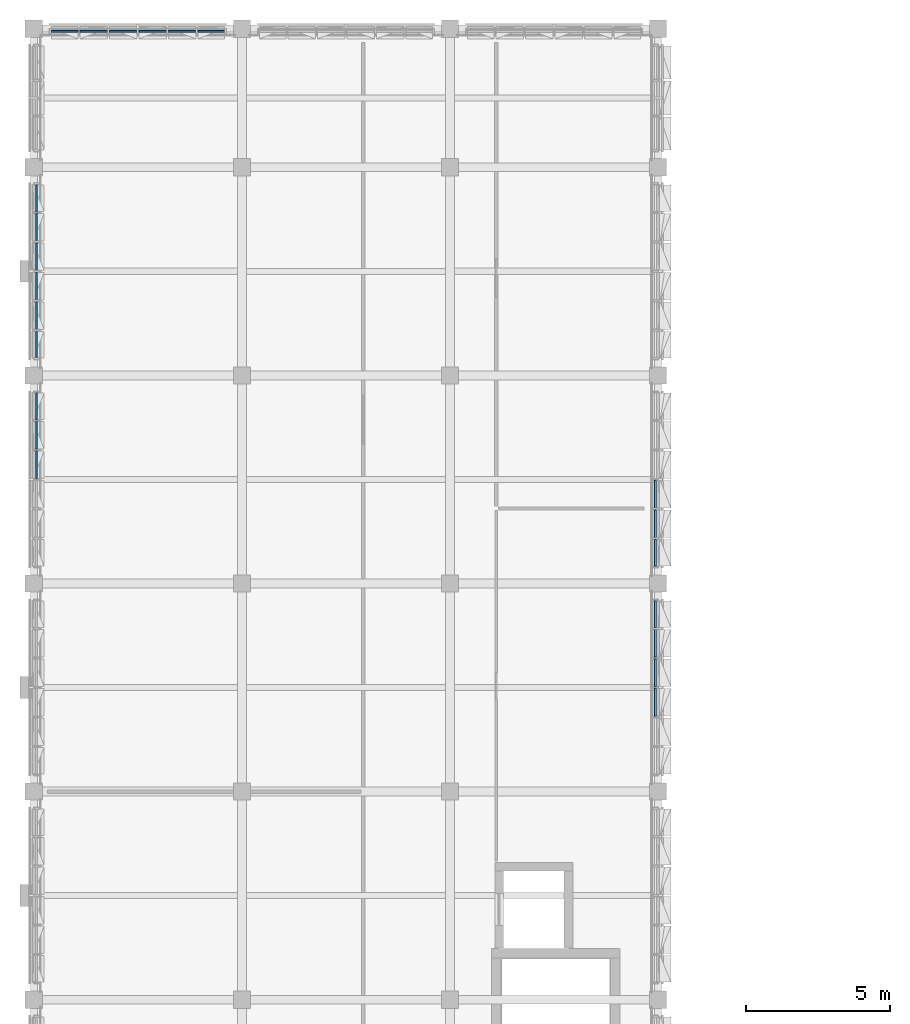
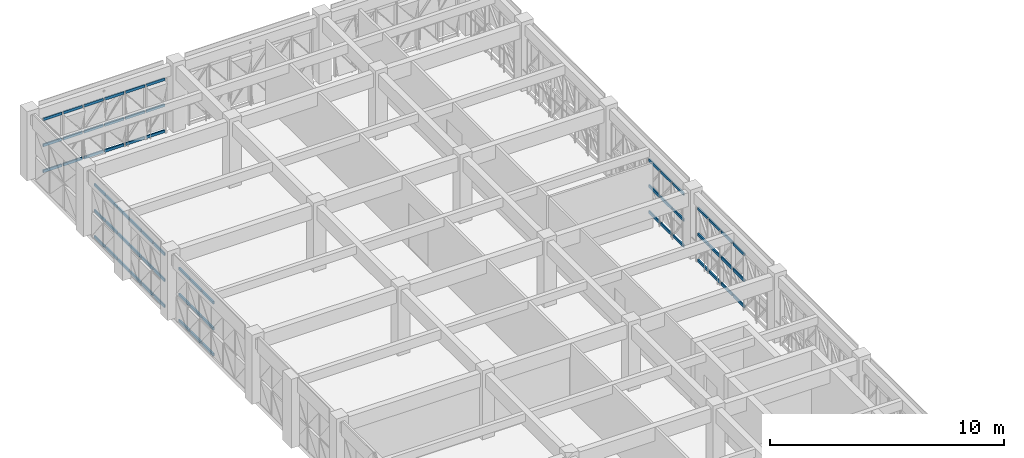
# One storey, part 23 of 74: 66 members, 5 elements without a shape of their own.
"""IFC4 building model written with IfcOpenShell, lengths in metres."""

from ifc_helpers import new_model, si_unit, direction, frame, origin, origin_2d, place, context, subcontext, project, spatial, rectangle, extrude, material, material_profile, profile_set, type_object, element, aggregate, save


model = new_model("IFC4")

# Units and contexts
model_context = context("Model", 3, precision=1e-05, world=origin(), true_north=direction((0.0, 1.0)))
body_context = subcontext(model_context, "Body", "Model", "MODEL_VIEW")
ifc_project = project(units=[si_unit("LENGTHUNIT", "METRE"), si_unit("AREAUNIT", "SQUARE_METRE"), si_unit("VOLUMEUNIT", "CUBIC_METRE"), si_unit("PLANEANGLEUNIT", "RADIAN"), si_unit("MASSUNIT", "GRAM", prefix="KILO")], contexts=[model_context])

# Site, building, storey
site_placement = place(None, origin())
site = spatial("IfcSite", under=ifc_project, at=site_placement, CompositionType="ELEMENT")
building_placement = place(site_placement, origin())
building = spatial("IfcBuilding", under=site, at=building_placement, Name="Alvorim Cloister Faculty of Sciences", CompositionType="ELEMENT")
storey_placement = place(building_placement, frame((0.0, 0.0, 15.75)))
storey = spatial("IfcBuildingStorey", under=building, at=storey_placement, Name="L04", CompositionType="ELEMENT", Elevation=15.75)

# Curtain wall, members
ifc_material_1 = material(Name="Aluminium and Low-E Glass Curtain Wall", Category="aluminium")
curtain_wall_type = type_object("IfcCurtainWallType", Name="CW-TRI-6120x2850", PredefinedType="USERDEFINED", material=ifc_material_1)
curtain_wall_1_placement = place(storey_placement, origin())
curtain_wall_1 = element("IfcCurtainWall", 1, at=curtain_wall_1_placement, inside=storey, type_object=curtain_wall_type, Name="L04 Diagonal Cassette Curtain Wall CW-0175", ObjectType="UNITISED CURTAIN WALL", PredefinedType="USERDEFINED")
ifc_material_2 = material(Name="Aluminium Alloy 6063-T6", Category="aluminium")
ifc_material_profile = material_profile(ifc_material_2, rectangle(XDim=0.06494140625, YDim=0.139892578125, at=origin_2d()), Name="ALU-TRN-65x140")
ifc_profile_set = profile_set([ifc_material_profile], Name="Aluminium Alloy 6063-T6")
member_type = type_object("IfcMemberType", Name="CW-TRN-65x140", PredefinedType="USERDEFINED", material=ifc_profile_set)
member_1_placement = place(storey_placement, frame((0.090087890625, 96.032470703125, 0.070068359375), z_axis=(0.0, 1.0, 0.0), x_axis=(-1.0, 0.0, 0.0)))
member_1 = element("IfcMember", 2, at=member_1_placement, type_object=member_type, Name="CW-0175 Transom 4.1", ObjectType="TRANSOM", PredefinedType="USERDEFINED", context=body_context, shape_type="SweptSolid", body=[
    extrude(rectangle(XDim=0.06494140625, YDim=0.139892578125, at=origin_2d()), origin(), (0.0, 0.0, 1.0), 0.955078125),
])
member_2_placement = place(storey_placement, frame((0.090087890625, 96.032470703125, 1.425048828125), z_axis=(0.0, 1.0, 0.0), x_axis=(-1.0, 0.0, 0.0)))
member_2 = element("IfcMember", 3, at=member_2_placement, type_object=member_type, Name="CW-0175 Transom 4.2", ObjectType="TRANSOM", PredefinedType="USERDEFINED", context=body_context, shape_type="SweptSolid", body=[
    extrude(rectangle(XDim=0.06494140625, YDim=0.139892578125, at=origin_2d()), origin(), (0.0, 0.0, 1.0), 0.955078125),
])
member_3_placement = place(storey_placement, frame((0.090087890625, 96.032470703125, 2.780029296875), z_axis=(0.0, 1.0, 0.0), x_axis=(-1.0, 0.0, 0.0)))
member_3 = element("IfcMember", 4, at=member_3_placement, type_object=member_type, Name="CW-0175 Transom 4.3", ObjectType="TRANSOM", PredefinedType="USERDEFINED", context=body_context, shape_type="SweptSolid", body=[
    extrude(rectangle(XDim=0.06494140625, YDim=0.139892578125, at=origin_2d()), origin(), (0.0, 0.0, 1.0), 0.955078125),
])
member_4_placement = place(storey_placement, frame((0.090087890625, 97.052490234375, 0.070068359375), z_axis=(0.0, 1.0, 0.0), x_axis=(-1.0, 0.0, 0.0)))
member_4 = element("IfcMember", 5, at=member_4_placement, type_object=member_type, Name="CW-0175 Transom 5.1", ObjectType="TRANSOM", PredefinedType="USERDEFINED", context=body_context, shape_type="SweptSolid", body=[
    extrude(rectangle(XDim=0.06494140625, YDim=0.139892578125, at=origin_2d()), origin(), (0.0, 0.0, 1.0), 0.955078125),
])
member_5_placement = place(storey_placement, frame((0.090087890625, 97.052490234375, 1.425048828125), z_axis=(0.0, 1.0, 0.0), x_axis=(-1.0, 0.0, 0.0)))
member_5 = element("IfcMember", 6, at=member_5_placement, type_object=member_type, Name="CW-0175 Transom 5.2", ObjectType="TRANSOM", PredefinedType="USERDEFINED", context=body_context, shape_type="SweptSolid", body=[
    extrude(rectangle(XDim=0.06494140625, YDim=0.139892578125, at=origin_2d()), origin(), (0.0, 0.0, 1.0), 0.955078125),
])
member_6_placement = place(storey_placement, frame((0.090087890625, 97.052490234375, 2.780029296875), z_axis=(0.0, 1.0, 0.0), x_axis=(-1.0, 0.0, 0.0)))
member_6 = element("IfcMember", 7, at=member_6_placement, type_object=member_type, Name="CW-0175 Transom 5.3", ObjectType="TRANSOM", PredefinedType="USERDEFINED", context=body_context, shape_type="SweptSolid", body=[
    extrude(rectangle(XDim=0.06494140625, YDim=0.139892578125, at=origin_2d()), origin(), (0.0, 0.0, 1.0), 0.955078125),
])
member_7_placement = place(storey_placement, frame((0.090087890625, 98.072509765625, 0.070068359375), z_axis=(0.0, 1.0, 0.0), x_axis=(-1.0, 0.0, 0.0)))
member_7 = element("IfcMember", 8, at=member_7_placement, type_object=member_type, Name="CW-0175 Transom 6.1", ObjectType="TRANSOM", PredefinedType="USERDEFINED", context=body_context, shape_type="SweptSolid", body=[
    extrude(rectangle(XDim=0.06494140625, YDim=0.139892578125, at=origin_2d()), origin(), (0.0, 0.0, 1.0), 0.922607421875),
])
member_8_placement = place(storey_placement, frame((0.090087890625, 98.072509765625, 1.425048828125), z_axis=(0.0, 1.0, 0.0), x_axis=(-1.0, 0.0, 0.0)))
member_8 = element("IfcMember", 9, at=member_8_placement, type_object=member_type, Name="CW-0175 Transom 6.2", ObjectType="TRANSOM", PredefinedType="USERDEFINED", context=body_context, shape_type="SweptSolid", body=[
    extrude(rectangle(XDim=0.06494140625, YDim=0.139892578125, at=origin_2d()), origin(), (0.0, 0.0, 1.0), 0.922607421875),
])
member_9_placement = place(storey_placement, frame((0.090087890625, 98.072509765625, 2.780029296875), z_axis=(0.0, 1.0, 0.0), x_axis=(-1.0, 0.0, 0.0)))
member_9 = element("IfcMember", 10, at=member_9_placement, type_object=member_type, Name="CW-0175 Transom 6.3", ObjectType="TRANSOM", PredefinedType="USERDEFINED", context=body_context, shape_type="SweptSolid", body=[
    extrude(rectangle(XDim=0.06494140625, YDim=0.139892578125, at=origin_2d()), origin(), (0.0, 0.0, 1.0), 0.922607421875),
])
aggregate(curtain_wall_1, [member_1, member_2, member_3, member_4, member_5, member_6, member_7, member_8, member_9])

curtain_wall_2_placement = place(storey_placement, origin())
curtain_wall_2 = element("IfcCurtainWall", 11, at=curtain_wall_2_placement, inside=storey, type_object=curtain_wall_type, Name="L04 Diagonal Cassette Curtain Wall CW-0176", ObjectType="UNITISED CURTAIN WALL", PredefinedType="USERDEFINED")
member_10_placement = place(storey_placement, frame((0.090087890625, 100.205078125, 0.070068359375), z_axis=(0.0, 1.0, 0.0), x_axis=(-1.0, 0.0, 0.0)))
member_10 = element("IfcMember", 12, at=member_10_placement, type_object=member_type, Name="CW-0176 Transom 1.1", ObjectType="TRANSOM", PredefinedType="USERDEFINED", context=body_context, shape_type="SweptSolid", body=[
    extrude(rectangle(XDim=0.06494140625, YDim=0.139892578125, at=origin_2d()), origin(), (0.0, 0.0, 1.0), 0.92236328125),
])
member_11_placement = place(storey_placement, frame((0.090087890625, 100.205078125, 1.425048828125), z_axis=(0.0, 1.0, 0.0), x_axis=(-1.0, 0.0, 0.0)))
member_11 = element("IfcMember", 13, at=member_11_placement, type_object=member_type, Name="CW-0176 Transom 1.2", ObjectType="TRANSOM", PredefinedType="USERDEFINED", context=body_context, shape_type="SweptSolid", body=[
    extrude(rectangle(XDim=0.06494140625, YDim=0.139892578125, at=origin_2d()), origin(), (0.0, 0.0, 1.0), 0.92236328125),
])
member_12_placement = place(storey_placement, frame((0.090087890625, 100.205078125, 2.780029296875), z_axis=(0.0, 1.0, 0.0), x_axis=(-1.0, 0.0, 0.0)))
member_12 = element("IfcMember", 14, at=member_12_placement, type_object=member_type, Name="CW-0176 Transom 1.3", ObjectType="TRANSOM", PredefinedType="USERDEFINED", context=body_context, shape_type="SweptSolid", body=[
    extrude(rectangle(XDim=0.06494140625, YDim=0.139892578125, at=origin_2d()), origin(), (0.0, 0.0, 1.0), 0.92236328125),
])
member_13_placement = place(storey_placement, frame((0.090087890625, 101.1923828125, 0.070068359375), z_axis=(0.0, 1.0, 0.0), x_axis=(-1.0, 0.0, 0.0)))
member_13 = element("IfcMember", 15, at=member_13_placement, type_object=member_type, Name="CW-0176 Transom 2.1", ObjectType="TRANSOM", PredefinedType="USERDEFINED", context=body_context, shape_type="SweptSolid", body=[
    extrude(rectangle(XDim=0.06494140625, YDim=0.139892578125, at=origin_2d()), origin(), (0.0, 0.0, 1.0), 0.955078125),
])
member_14_placement = place(storey_placement, frame((0.090087890625, 101.1923828125, 1.425048828125), z_axis=(0.0, 1.0, 0.0), x_axis=(-1.0, 0.0, 0.0)))
member_14 = element("IfcMember", 16, at=member_14_placement, type_object=member_type, Name="CW-0176 Transom 2.2", ObjectType="TRANSOM", PredefinedType="USERDEFINED", context=body_context, shape_type="SweptSolid", body=[
    extrude(rectangle(XDim=0.06494140625, YDim=0.139892578125, at=origin_2d()), origin(), (0.0, 0.0, 1.0), 0.955078125),
])
member_15_placement = place(storey_placement, frame((0.090087890625, 101.1923828125, 2.780029296875), z_axis=(0.0, 1.0, 0.0), x_axis=(-1.0, 0.0, 0.0)))
member_15 = element("IfcMember", 17, at=member_15_placement, type_object=member_type, Name="CW-0176 Transom 2.3", ObjectType="TRANSOM", PredefinedType="USERDEFINED", context=body_context, shape_type="SweptSolid", body=[
    extrude(rectangle(XDim=0.06494140625, YDim=0.139892578125, at=origin_2d()), origin(), (0.0, 0.0, 1.0), 0.955078125),
])
member_16_placement = place(storey_placement, frame((0.090087890625, 102.21240234375, 0.070068359375), z_axis=(0.0, 1.0, 0.0), x_axis=(-1.0, 0.0, 0.0)))
member_16 = element("IfcMember", 18, at=member_16_placement, type_object=member_type, Name="CW-0176 Transom 3.1", ObjectType="TRANSOM", PredefinedType="USERDEFINED", context=body_context, shape_type="SweptSolid", body=[
    extrude(rectangle(XDim=0.06494140625, YDim=0.139892578125, at=origin_2d()), origin(), (0.0, 0.0, 1.0), 0.955078125),
])
member_17_placement = place(storey_placement, frame((0.090087890625, 102.21240234375, 1.425048828125), z_axis=(0.0, 1.0, 0.0), x_axis=(-1.0, 0.0, 0.0)))
member_17 = element("IfcMember", 19, at=member_17_placement, type_object=member_type, Name="CW-0176 Transom 3.2", ObjectType="TRANSOM", PredefinedType="USERDEFINED", context=body_context, shape_type="SweptSolid", body=[
    extrude(rectangle(XDim=0.06494140625, YDim=0.139892578125, at=origin_2d()), origin(), (0.0, 0.0, 1.0), 0.955078125),
])
member_18_placement = place(storey_placement, frame((0.090087890625, 102.21240234375, 2.780029296875), z_axis=(0.0, 1.0, 0.0), x_axis=(-1.0, 0.0, 0.0)))
member_18 = element("IfcMember", 20, at=member_18_placement, type_object=member_type, Name="CW-0176 Transom 3.3", ObjectType="TRANSOM", PredefinedType="USERDEFINED", context=body_context, shape_type="SweptSolid", body=[
    extrude(rectangle(XDim=0.06494140625, YDim=0.139892578125, at=origin_2d()), origin(), (0.0, 0.0, 1.0), 0.955078125),
])
member_19_placement = place(storey_placement, frame((0.090087890625, 103.232421875, 0.070068359375), z_axis=(0.0, 1.0, 0.0), x_axis=(-1.0, 0.0, 0.0)))
member_19 = element("IfcMember", 21, at=member_19_placement, type_object=member_type, Name="CW-0176 Transom 4.1", ObjectType="TRANSOM", PredefinedType="USERDEFINED", context=body_context, shape_type="SweptSolid", body=[
    extrude(rectangle(XDim=0.06494140625, YDim=0.139892578125, at=origin_2d()), origin(), (0.0, 0.0, 1.0), 0.955078125),
])
member_20_placement = place(storey_placement, frame((0.090087890625, 103.232421875, 1.425048828125), z_axis=(0.0, 1.0, 0.0), x_axis=(-1.0, 0.0, 0.0)))
member_20 = element("IfcMember", 22, at=member_20_placement, type_object=member_type, Name="CW-0176 Transom 4.2", ObjectType="TRANSOM", PredefinedType="USERDEFINED", context=body_context, shape_type="SweptSolid", body=[
    extrude(rectangle(XDim=0.06494140625, YDim=0.139892578125, at=origin_2d()), origin(), (0.0, 0.0, 1.0), 0.955078125),
])
member_21_placement = place(storey_placement, frame((0.090087890625, 103.232421875, 2.780029296875), z_axis=(0.0, 1.0, 0.0), x_axis=(-1.0, 0.0, 0.0)))
member_21 = element("IfcMember", 23, at=member_21_placement, type_object=member_type, Name="CW-0176 Transom 4.3", ObjectType="TRANSOM", PredefinedType="USERDEFINED", context=body_context, shape_type="SweptSolid", body=[
    extrude(rectangle(XDim=0.06494140625, YDim=0.139892578125, at=origin_2d()), origin(), (0.0, 0.0, 1.0), 0.955078125),
])
member_22_placement = place(storey_placement, frame((0.090087890625, 104.25244140625, 0.070068359375), z_axis=(0.0, 1.0, 0.0), x_axis=(-1.0, 0.0, 0.0)))
member_22 = element("IfcMember", 24, at=member_22_placement, type_object=member_type, Name="CW-0176 Transom 5.1", ObjectType="TRANSOM", PredefinedType="USERDEFINED", context=body_context, shape_type="SweptSolid", body=[
    extrude(rectangle(XDim=0.06494140625, YDim=0.139892578125, at=origin_2d()), origin(), (0.0, 0.0, 1.0), 0.955078125),
])
member_23_placement = place(storey_placement, frame((0.090087890625, 104.25244140625, 1.425048828125), z_axis=(0.0, 1.0, 0.0), x_axis=(-1.0, 0.0, 0.0)))
member_23 = element("IfcMember", 25, at=member_23_placement, type_object=member_type, Name="CW-0176 Transom 5.2", ObjectType="TRANSOM", PredefinedType="USERDEFINED", context=body_context, shape_type="SweptSolid", body=[
    extrude(rectangle(XDim=0.06494140625, YDim=0.139892578125, at=origin_2d()), origin(), (0.0, 0.0, 1.0), 0.955078125),
])
member_24_placement = place(storey_placement, frame((0.090087890625, 104.25244140625, 2.780029296875), z_axis=(0.0, 1.0, 0.0), x_axis=(-1.0, 0.0, 0.0)))
member_24 = element("IfcMember", 26, at=member_24_placement, type_object=member_type, Name="CW-0176 Transom 5.3", ObjectType="TRANSOM", PredefinedType="USERDEFINED", context=body_context, shape_type="SweptSolid", body=[
    extrude(rectangle(XDim=0.06494140625, YDim=0.139892578125, at=origin_2d()), origin(), (0.0, 0.0, 1.0), 0.955078125),
])
member_25_placement = place(storey_placement, frame((0.090087890625, 105.2724609375, 0.070068359375), z_axis=(0.0, 1.0, 0.0), x_axis=(-1.0, 0.0, 0.0)))
member_25 = element("IfcMember", 27, at=member_25_placement, type_object=member_type, Name="CW-0176 Transom 6.1", ObjectType="TRANSOM", PredefinedType="USERDEFINED", context=body_context, shape_type="SweptSolid", body=[
    extrude(rectangle(XDim=0.06494140625, YDim=0.139892578125, at=origin_2d()), origin(), (0.0, 0.0, 1.0), 0.922607421875),
])
member_26_placement = place(storey_placement, frame((0.090087890625, 105.2724609375, 1.425048828125), z_axis=(0.0, 1.0, 0.0), x_axis=(-1.0, 0.0, 0.0)))
member_26 = element("IfcMember", 28, at=member_26_placement, type_object=member_type, Name="CW-0176 Transom 6.2", ObjectType="TRANSOM", PredefinedType="USERDEFINED", context=body_context, shape_type="SweptSolid", body=[
    extrude(rectangle(XDim=0.06494140625, YDim=0.139892578125, at=origin_2d()), origin(), (0.0, 0.0, 1.0), 0.922607421875),
])
member_27_placement = place(storey_placement, frame((0.090087890625, 105.2724609375, 2.780029296875), z_axis=(0.0, 1.0, 0.0), x_axis=(-1.0, 0.0, 0.0)))
member_27 = element("IfcMember", 29, at=member_27_placement, type_object=member_type, Name="CW-0176 Transom 6.3", ObjectType="TRANSOM", PredefinedType="USERDEFINED", context=body_context, shape_type="SweptSolid", body=[
    extrude(rectangle(XDim=0.06494140625, YDim=0.139892578125, at=origin_2d()), origin(), (0.0, 0.0, 1.0), 0.922607421875),
])
aggregate(curtain_wall_2, [member_10, member_11, member_12, member_13, member_14, member_15, member_16, member_17, member_18, member_19, member_20, member_21, member_22, member_23, member_24, member_25, member_26, member_27])

curtain_wall_3_placement = place(storey_placement, origin())
curtain_wall_3 = element("IfcCurtainWall", 30, at=curtain_wall_3_placement, inside=storey, type_object=curtain_wall_type, Name="L04 Diagonal Cassette Curtain Wall CW-0178", ObjectType="UNITISED CURTAIN WALL", PredefinedType="USERDEFINED")
member_28_placement = place(storey_placement, frame((0.60498046875, 111.510009765625, 0.070068359375), z_axis=(1.0, 0.0, 0.0), x_axis=(0.0, 1.0, 0.0)))
member_28 = element("IfcMember", 31, at=member_28_placement, type_object=member_type, Name="CW-0178 Transom 1.1", ObjectType="TRANSOM", PredefinedType="USERDEFINED", context=body_context, shape_type="SweptSolid", body=[
    extrude(rectangle(XDim=0.06494140625, YDim=0.139892578125, at=origin_2d()), origin(), (0.0, 0.0, 1.0), 0.922607421875),
])
member_29_placement = place(storey_placement, frame((0.60498046875, 111.510009765625, 1.425048828125), z_axis=(1.0, 0.0, 0.0), x_axis=(0.0, 1.0, 0.0)))
member_29 = element("IfcMember", 32, at=member_29_placement, type_object=member_type, Name="CW-0178 Transom 1.2", ObjectType="TRANSOM", PredefinedType="USERDEFINED", context=body_context, shape_type="SweptSolid", body=[
    extrude(rectangle(XDim=0.06494140625, YDim=0.139892578125, at=origin_2d()), origin(), (0.0, 0.0, 1.0), 0.922607421875),
])
member_30_placement = place(storey_placement, frame((0.60498046875, 111.510009765625, 2.780029296875), z_axis=(1.0, 0.0, 0.0), x_axis=(0.0, 1.0, 0.0)))
member_30 = element("IfcMember", 33, at=member_30_placement, type_object=member_type, Name="CW-0178 Transom 1.3", ObjectType="TRANSOM", PredefinedType="USERDEFINED", context=body_context, shape_type="SweptSolid", body=[
    extrude(rectangle(XDim=0.06494140625, YDim=0.139892578125, at=origin_2d()), origin(), (0.0, 0.0, 1.0), 0.922607421875),
])
member_31_placement = place(storey_placement, frame((1.592529296875, 111.510009765625, 0.070068359375), z_axis=(1.0, 0.0, 0.0), x_axis=(0.0, 1.0, 0.0)))
member_31 = element("IfcMember", 34, at=member_31_placement, type_object=member_type, Name="CW-0178 Transom 2.1", ObjectType="TRANSOM", PredefinedType="USERDEFINED", context=body_context, shape_type="SweptSolid", body=[
    extrude(rectangle(XDim=0.06494140625, YDim=0.139892578125, at=origin_2d()), origin(), (0.0, 0.0, 1.0), 0.955078125),
])
member_32_placement = place(storey_placement, frame((1.592529296875, 111.510009765625, 1.425048828125), z_axis=(1.0, 0.0, 0.0), x_axis=(0.0, 1.0, 0.0)))
member_32 = element("IfcMember", 35, at=member_32_placement, type_object=member_type, Name="CW-0178 Transom 2.2", ObjectType="TRANSOM", PredefinedType="USERDEFINED", context=body_context, shape_type="SweptSolid", body=[
    extrude(rectangle(XDim=0.06494140625, YDim=0.139892578125, at=origin_2d()), origin(), (0.0, 0.0, 1.0), 0.955078125),
])
member_33_placement = place(storey_placement, frame((1.592529296875, 111.510009765625, 2.780029296875), z_axis=(1.0, 0.0, 0.0), x_axis=(0.0, 1.0, 0.0)))
member_33 = element("IfcMember", 36, at=member_33_placement, type_object=member_type, Name="CW-0178 Transom 2.3", ObjectType="TRANSOM", PredefinedType="USERDEFINED", context=body_context, shape_type="SweptSolid", body=[
    extrude(rectangle(XDim=0.06494140625, YDim=0.139892578125, at=origin_2d()), origin(), (0.0, 0.0, 1.0), 0.955078125),
])
member_34_placement = place(storey_placement, frame((2.612548828125, 111.510009765625, 0.070068359375), z_axis=(1.0, 0.0, 0.0), x_axis=(0.0, 1.0, 0.0)))
member_34 = element("IfcMember", 37, at=member_34_placement, type_object=member_type, Name="CW-0178 Transom 3.1", ObjectType="TRANSOM", PredefinedType="USERDEFINED", context=body_context, shape_type="SweptSolid", body=[
    extrude(rectangle(XDim=0.06494140625, YDim=0.139892578125, at=origin_2d()), origin(), (0.0, 0.0, 1.0), 0.954833984375),
])
member_35_placement = place(storey_placement, frame((2.612548828125, 111.510009765625, 1.425048828125), z_axis=(1.0, 0.0, 0.0), x_axis=(0.0, 1.0, 0.0)))
member_35 = element("IfcMember", 38, at=member_35_placement, type_object=member_type, Name="CW-0178 Transom 3.2", ObjectType="TRANSOM", PredefinedType="USERDEFINED", context=body_context, shape_type="SweptSolid", body=[
    extrude(rectangle(XDim=0.06494140625, YDim=0.139892578125, at=origin_2d()), origin(), (0.0, 0.0, 1.0), 0.954833984375),
])
member_36_placement = place(storey_placement, frame((2.612548828125, 111.510009765625, 2.780029296875), z_axis=(1.0, 0.0, 0.0), x_axis=(0.0, 1.0, 0.0)))
member_36 = element("IfcMember", 39, at=member_36_placement, type_object=member_type, Name="CW-0178 Transom 3.3", ObjectType="TRANSOM", PredefinedType="USERDEFINED", context=body_context, shape_type="SweptSolid", body=[
    extrude(rectangle(XDim=0.06494140625, YDim=0.139892578125, at=origin_2d()), origin(), (0.0, 0.0, 1.0), 0.954833984375),
])
member_37_placement = place(storey_placement, frame((3.632568359375, 111.510009765625, 0.070068359375), z_axis=(1.0, 0.0, 0.0), x_axis=(0.0, 1.0, 0.0)))
member_37 = element("IfcMember", 40, at=member_37_placement, type_object=member_type, Name="CW-0178 Transom 4.1", ObjectType="TRANSOM", PredefinedType="USERDEFINED", context=body_context, shape_type="SweptSolid", body=[
    extrude(rectangle(XDim=0.06494140625, YDim=0.139892578125, at=origin_2d()), origin(), (0.0, 0.0, 1.0), 0.954833984375),
])
member_38_placement = place(storey_placement, frame((3.632568359375, 111.510009765625, 1.425048828125), z_axis=(1.0, 0.0, 0.0), x_axis=(0.0, 1.0, 0.0)))
member_38 = element("IfcMember", 41, at=member_38_placement, type_object=member_type, Name="CW-0178 Transom 4.2", ObjectType="TRANSOM", PredefinedType="USERDEFINED", context=body_context, shape_type="SweptSolid", body=[
    extrude(rectangle(XDim=0.06494140625, YDim=0.139892578125, at=origin_2d()), origin(), (0.0, 0.0, 1.0), 0.954833984375),
])
member_39_placement = place(storey_placement, frame((3.632568359375, 111.510009765625, 2.780029296875), z_axis=(1.0, 0.0, 0.0), x_axis=(0.0, 1.0, 0.0)))
member_39 = element("IfcMember", 42, at=member_39_placement, type_object=member_type, Name="CW-0178 Transom 4.3", ObjectType="TRANSOM", PredefinedType="USERDEFINED", context=body_context, shape_type="SweptSolid", body=[
    extrude(rectangle(XDim=0.06494140625, YDim=0.139892578125, at=origin_2d()), origin(), (0.0, 0.0, 1.0), 0.954833984375),
])
member_40_placement = place(storey_placement, frame((4.652587890625, 111.510009765625, 0.070068359375), z_axis=(1.0, 0.0, 0.0), x_axis=(0.0, 1.0, 0.0)))
member_40 = element("IfcMember", 43, at=member_40_placement, type_object=member_type, Name="CW-0178 Transom 5.1", ObjectType="TRANSOM", PredefinedType="USERDEFINED", context=body_context, shape_type="SweptSolid", body=[
    extrude(rectangle(XDim=0.06494140625, YDim=0.139892578125, at=origin_2d()), origin(), (0.0, 0.0, 1.0), 0.954833984375),
])
member_41_placement = place(storey_placement, frame((4.652587890625, 111.510009765625, 1.425048828125), z_axis=(1.0, 0.0, 0.0), x_axis=(0.0, 1.0, 0.0)))
member_41 = element("IfcMember", 44, at=member_41_placement, type_object=member_type, Name="CW-0178 Transom 5.2", ObjectType="TRANSOM", PredefinedType="USERDEFINED", context=body_context, shape_type="SweptSolid", body=[
    extrude(rectangle(XDim=0.06494140625, YDim=0.139892578125, at=origin_2d()), origin(), (0.0, 0.0, 1.0), 0.954833984375),
])
member_42_placement = place(storey_placement, frame((4.652587890625, 111.510009765625, 2.780029296875), z_axis=(1.0, 0.0, 0.0), x_axis=(0.0, 1.0, 0.0)))
member_42 = element("IfcMember", 45, at=member_42_placement, type_object=member_type, Name="CW-0178 Transom 5.3", ObjectType="TRANSOM", PredefinedType="USERDEFINED", context=body_context, shape_type="SweptSolid", body=[
    extrude(rectangle(XDim=0.06494140625, YDim=0.139892578125, at=origin_2d()), origin(), (0.0, 0.0, 1.0), 0.954833984375),
])
member_43_placement = place(storey_placement, frame((5.672607421875, 111.510009765625, 0.070068359375), z_axis=(1.0, 0.0, 0.0), x_axis=(0.0, 1.0, 0.0)))
member_43 = element("IfcMember", 46, at=member_43_placement, type_object=member_type, Name="CW-0178 Transom 6.1", ObjectType="TRANSOM", PredefinedType="USERDEFINED", context=body_context, shape_type="SweptSolid", body=[
    extrude(rectangle(XDim=0.06494140625, YDim=0.139892578125, at=origin_2d()), origin(), (0.0, 0.0, 1.0), 0.92236328125),
])
member_44_placement = place(storey_placement, frame((5.672607421875, 111.510009765625, 1.425048828125), z_axis=(1.0, 0.0, 0.0), x_axis=(0.0, 1.0, 0.0)))
member_44 = element("IfcMember", 47, at=member_44_placement, type_object=member_type, Name="CW-0178 Transom 6.2", ObjectType="TRANSOM", PredefinedType="USERDEFINED", context=body_context, shape_type="SweptSolid", body=[
    extrude(rectangle(XDim=0.06494140625, YDim=0.139892578125, at=origin_2d()), origin(), (0.0, 0.0, 1.0), 0.92236328125),
])
member_45_placement = place(storey_placement, frame((5.672607421875, 111.510009765625, 2.780029296875), z_axis=(1.0, 0.0, 0.0), x_axis=(0.0, 1.0, 0.0)))
member_45 = element("IfcMember", 48, at=member_45_placement, type_object=member_type, Name="CW-0178 Transom 6.3", ObjectType="TRANSOM", PredefinedType="USERDEFINED", context=body_context, shape_type="SweptSolid", body=[
    extrude(rectangle(XDim=0.06494140625, YDim=0.139892578125, at=origin_2d()), origin(), (0.0, 0.0, 1.0), 0.92236328125),
])
aggregate(curtain_wall_3, [member_28, member_29, member_30, member_31, member_32, member_33, member_34, member_35, member_36, member_37, member_38, member_39, member_40, member_41, member_42, member_43, member_44, member_45])

curtain_wall_4_placement = place(storey_placement, origin())
curtain_wall_4 = element("IfcCurtainWall", 49, at=curtain_wall_4_placement, inside=storey, type_object=curtain_wall_type, Name="L04 Diagonal Cassette Curtain Wall CW-0183", ObjectType="UNITISED CURTAIN WALL", PredefinedType="USERDEFINED")
member_46_placement = place(storey_placement, frame((21.510009765625, 93.0048828125, 0.070068359375), z_axis=(0.0, 1.0, 0.0), x_axis=(-1.0, 0.0, 0.0)))
member_46 = element("IfcMember", 50, at=member_46_placement, type_object=member_type, Name="CW-0183 Transom 1.1", ObjectType="TRANSOM", PredefinedType="USERDEFINED", context=body_context, shape_type="SweptSolid", body=[
    extrude(rectangle(XDim=0.06494140625, YDim=0.139892578125, at=origin_2d()), origin(), (0.0, 0.0, 1.0), 0.922607421875),
])
member_47_placement = place(storey_placement, frame((21.510009765625, 93.0048828125, 1.425048828125), z_axis=(0.0, 1.0, 0.0), x_axis=(-1.0, 0.0, 0.0)))
member_47 = element("IfcMember", 51, at=member_47_placement, type_object=member_type, Name="CW-0183 Transom 1.2", ObjectType="TRANSOM", PredefinedType="USERDEFINED", context=body_context, shape_type="SweptSolid", body=[
    extrude(rectangle(XDim=0.06494140625, YDim=0.139892578125, at=origin_2d()), origin(), (0.0, 0.0, 1.0), 0.922607421875),
])
member_48_placement = place(storey_placement, frame((21.510009765625, 93.0048828125, 2.780029296875), z_axis=(0.0, 1.0, 0.0), x_axis=(-1.0, 0.0, 0.0)))
member_48 = element("IfcMember", 52, at=member_48_placement, type_object=member_type, Name="CW-0183 Transom 1.3", ObjectType="TRANSOM", PredefinedType="USERDEFINED", context=body_context, shape_type="SweptSolid", body=[
    extrude(rectangle(XDim=0.06494140625, YDim=0.139892578125, at=origin_2d()), origin(), (0.0, 0.0, 1.0), 0.922607421875),
])
member_49_placement = place(storey_placement, frame((21.510009765625, 93.992431640625, 0.070068359375), z_axis=(0.0, 1.0, 0.0), x_axis=(-1.0, 0.0, 0.0)))
member_49 = element("IfcMember", 53, at=member_49_placement, type_object=member_type, Name="CW-0183 Transom 2.1", ObjectType="TRANSOM", PredefinedType="USERDEFINED", context=body_context, shape_type="SweptSolid", body=[
    extrude(rectangle(XDim=0.06494140625, YDim=0.139892578125, at=origin_2d()), origin(), (0.0, 0.0, 1.0), 0.955078125),
])
member_50_placement = place(storey_placement, frame((21.510009765625, 93.992431640625, 1.425048828125), z_axis=(0.0, 1.0, 0.0), x_axis=(-1.0, 0.0, 0.0)))
member_50 = element("IfcMember", 54, at=member_50_placement, type_object=member_type, Name="CW-0183 Transom 2.2", ObjectType="TRANSOM", PredefinedType="USERDEFINED", context=body_context, shape_type="SweptSolid", body=[
    extrude(rectangle(XDim=0.06494140625, YDim=0.139892578125, at=origin_2d()), origin(), (0.0, 0.0, 1.0), 0.955078125),
])
member_51_placement = place(storey_placement, frame((21.510009765625, 93.992431640625, 2.780029296875), z_axis=(0.0, 1.0, 0.0), x_axis=(-1.0, 0.0, 0.0)))
member_51 = element("IfcMember", 55, at=member_51_placement, type_object=member_type, Name="CW-0183 Transom 2.3", ObjectType="TRANSOM", PredefinedType="USERDEFINED", context=body_context, shape_type="SweptSolid", body=[
    extrude(rectangle(XDim=0.06494140625, YDim=0.139892578125, at=origin_2d()), origin(), (0.0, 0.0, 1.0), 0.955078125),
])
member_52_placement = place(storey_placement, frame((21.510009765625, 95.012451171875, 0.070068359375), z_axis=(0.0, 1.0, 0.0), x_axis=(-1.0, 0.0, 0.0)))
member_52 = element("IfcMember", 56, at=member_52_placement, type_object=member_type, Name="CW-0183 Transom 3.1", ObjectType="TRANSOM", PredefinedType="USERDEFINED", context=body_context, shape_type="SweptSolid", body=[
    extrude(rectangle(XDim=0.06494140625, YDim=0.139892578125, at=origin_2d()), origin(), (0.0, 0.0, 1.0), 0.955078125),
])
member_53_placement = place(storey_placement, frame((21.510009765625, 95.012451171875, 1.425048828125), z_axis=(0.0, 1.0, 0.0), x_axis=(-1.0, 0.0, 0.0)))
member_53 = element("IfcMember", 57, at=member_53_placement, type_object=member_type, Name="CW-0183 Transom 3.2", ObjectType="TRANSOM", PredefinedType="USERDEFINED", context=body_context, shape_type="SweptSolid", body=[
    extrude(rectangle(XDim=0.06494140625, YDim=0.139892578125, at=origin_2d()), origin(), (0.0, 0.0, 1.0), 0.955078125),
])
member_54_placement = place(storey_placement, frame((21.510009765625, 95.012451171875, 2.780029296875), z_axis=(0.0, 1.0, 0.0), x_axis=(-1.0, 0.0, 0.0)))
member_54 = element("IfcMember", 58, at=member_54_placement, type_object=member_type, Name="CW-0183 Transom 3.3", ObjectType="TRANSOM", PredefinedType="USERDEFINED", context=body_context, shape_type="SweptSolid", body=[
    extrude(rectangle(XDim=0.06494140625, YDim=0.139892578125, at=origin_2d()), origin(), (0.0, 0.0, 1.0), 0.955078125),
])
aggregate(curtain_wall_4, [member_46, member_47, member_48, member_49, member_50, member_51, member_52, member_53, member_54])

curtain_wall_5_placement = place(storey_placement, origin())
curtain_wall_5 = element("IfcCurtainWall", 59, at=curtain_wall_5_placement, inside=storey, type_object=curtain_wall_type, Name="L04 Diagonal Cassette Curtain Wall CW-0184", ObjectType="UNITISED CURTAIN WALL", PredefinedType="USERDEFINED")
member_55_placement = place(storey_placement, frame((21.510009765625, 87.8125, 0.070068359375), z_axis=(0.0, 1.0, 0.0), x_axis=(-1.0, 0.0, 0.0)))
member_55 = element("IfcMember", 60, at=member_55_placement, type_object=member_type, Name="CW-0184 Transom 3.1", ObjectType="TRANSOM", PredefinedType="USERDEFINED", context=body_context, shape_type="SweptSolid", body=[
    extrude(rectangle(XDim=0.06494140625, YDim=0.139892578125, at=origin_2d()), origin(), (0.0, 0.0, 1.0), 0.955078125),
])
member_56_placement = place(storey_placement, frame((21.510009765625, 87.8125, 1.425048828125), z_axis=(0.0, 1.0, 0.0), x_axis=(-1.0, 0.0, 0.0)))
member_56 = element("IfcMember", 61, at=member_56_placement, type_object=member_type, Name="CW-0184 Transom 3.2", ObjectType="TRANSOM", PredefinedType="USERDEFINED", context=body_context, shape_type="SweptSolid", body=[
    extrude(rectangle(XDim=0.06494140625, YDim=0.139892578125, at=origin_2d()), origin(), (0.0, 0.0, 1.0), 0.955078125),
])
member_57_placement = place(storey_placement, frame((21.510009765625, 87.8125, 2.780029296875), z_axis=(0.0, 1.0, 0.0), x_axis=(-1.0, 0.0, 0.0)))
member_57 = element("IfcMember", 62, at=member_57_placement, type_object=member_type, Name="CW-0184 Transom 3.3", ObjectType="TRANSOM", PredefinedType="USERDEFINED", context=body_context, shape_type="SweptSolid", body=[
    extrude(rectangle(XDim=0.06494140625, YDim=0.139892578125, at=origin_2d()), origin(), (0.0, 0.0, 1.0), 0.955078125),
])
member_58_placement = place(storey_placement, frame((21.510009765625, 88.83251953125, 0.070068359375), z_axis=(0.0, 1.0, 0.0), x_axis=(-1.0, 0.0, 0.0)))
member_58 = element("IfcMember", 63, at=member_58_placement, type_object=member_type, Name="CW-0184 Transom 4.1", ObjectType="TRANSOM", PredefinedType="USERDEFINED", context=body_context, shape_type="SweptSolid", body=[
    extrude(rectangle(XDim=0.06494140625, YDim=0.139892578125, at=origin_2d()), origin(), (0.0, 0.0, 1.0), 0.955078125),
])
member_59_placement = place(storey_placement, frame((21.510009765625, 88.83251953125, 1.425048828125), z_axis=(0.0, 1.0, 0.0), x_axis=(-1.0, 0.0, 0.0)))
member_59 = element("IfcMember", 64, at=member_59_placement, type_object=member_type, Name="CW-0184 Transom 4.2", ObjectType="TRANSOM", PredefinedType="USERDEFINED", context=body_context, shape_type="SweptSolid", body=[
    extrude(rectangle(XDim=0.06494140625, YDim=0.139892578125, at=origin_2d()), origin(), (0.0, 0.0, 1.0), 0.955078125),
])
member_60_placement = place(storey_placement, frame((21.510009765625, 88.83251953125, 2.780029296875), z_axis=(0.0, 1.0, 0.0), x_axis=(-1.0, 0.0, 0.0)))
member_60 = element("IfcMember", 65, at=member_60_placement, type_object=member_type, Name="CW-0184 Transom 4.3", ObjectType="TRANSOM", PredefinedType="USERDEFINED", context=body_context, shape_type="SweptSolid", body=[
    extrude(rectangle(XDim=0.06494140625, YDim=0.139892578125, at=origin_2d()), origin(), (0.0, 0.0, 1.0), 0.955078125),
])
member_61_placement = place(storey_placement, frame((21.510009765625, 89.8525390625, 0.070068359375), z_axis=(0.0, 1.0, 0.0), x_axis=(-1.0, 0.0, 0.0)))
member_61 = element("IfcMember", 66, at=member_61_placement, type_object=member_type, Name="CW-0184 Transom 5.1", ObjectType="TRANSOM", PredefinedType="USERDEFINED", context=body_context, shape_type="SweptSolid", body=[
    extrude(rectangle(XDim=0.06494140625, YDim=0.139892578125, at=origin_2d()), origin(), (0.0, 0.0, 1.0), 0.955078125),
])
member_62_placement = place(storey_placement, frame((21.510009765625, 89.8525390625, 1.425048828125), z_axis=(0.0, 1.0, 0.0), x_axis=(-1.0, 0.0, 0.0)))
member_62 = element("IfcMember", 67, at=member_62_placement, type_object=member_type, Name="CW-0184 Transom 5.2", ObjectType="TRANSOM", PredefinedType="USERDEFINED", context=body_context, shape_type="SweptSolid", body=[
    extrude(rectangle(XDim=0.06494140625, YDim=0.139892578125, at=origin_2d()), origin(), (0.0, 0.0, 1.0), 0.955078125),
])
member_63_placement = place(storey_placement, frame((21.510009765625, 89.8525390625, 2.780029296875), z_axis=(0.0, 1.0, 0.0), x_axis=(-1.0, 0.0, 0.0)))
member_63 = element("IfcMember", 68, at=member_63_placement, type_object=member_type, Name="CW-0184 Transom 5.3", ObjectType="TRANSOM", PredefinedType="USERDEFINED", context=body_context, shape_type="SweptSolid", body=[
    extrude(rectangle(XDim=0.06494140625, YDim=0.139892578125, at=origin_2d()), origin(), (0.0, 0.0, 1.0), 0.955078125),
])
member_64_placement = place(storey_placement, frame((21.510009765625, 90.87255859375, 0.070068359375), z_axis=(0.0, 1.0, 0.0), x_axis=(-1.0, 0.0, 0.0)))
member_64 = element("IfcMember", 69, at=member_64_placement, type_object=member_type, Name="CW-0184 Transom 6.1", ObjectType="TRANSOM", PredefinedType="USERDEFINED", context=body_context, shape_type="SweptSolid", body=[
    extrude(rectangle(XDim=0.06494140625, YDim=0.139892578125, at=origin_2d()), origin(), (0.0, 0.0, 1.0), 0.92236328125),
])
member_65_placement = place(storey_placement, frame((21.510009765625, 90.87255859375, 1.425048828125), z_axis=(0.0, 1.0, 0.0), x_axis=(-1.0, 0.0, 0.0)))
member_65 = element("IfcMember", 70, at=member_65_placement, type_object=member_type, Name="CW-0184 Transom 6.2", ObjectType="TRANSOM", PredefinedType="USERDEFINED", context=body_context, shape_type="SweptSolid", body=[
    extrude(rectangle(XDim=0.06494140625, YDim=0.139892578125, at=origin_2d()), origin(), (0.0, 0.0, 1.0), 0.92236328125),
])
member_66_placement = place(storey_placement, frame((21.510009765625, 90.87255859375, 2.780029296875), z_axis=(0.0, 1.0, 0.0), x_axis=(-1.0, 0.0, 0.0)))
member_66 = element("IfcMember", 71, at=member_66_placement, type_object=member_type, Name="CW-0184 Transom 6.3", ObjectType="TRANSOM", PredefinedType="USERDEFINED", context=body_context, shape_type="SweptSolid", body=[
    extrude(rectangle(XDim=0.06494140625, YDim=0.139892578125, at=origin_2d()), origin(), (0.0, 0.0, 1.0), 0.92236328125),
])
aggregate(curtain_wall_5, [member_55, member_56, member_57, member_58, member_59, member_60, member_61, member_62, member_63, member_64, member_65, member_66])

save(model, "model.ifc")
